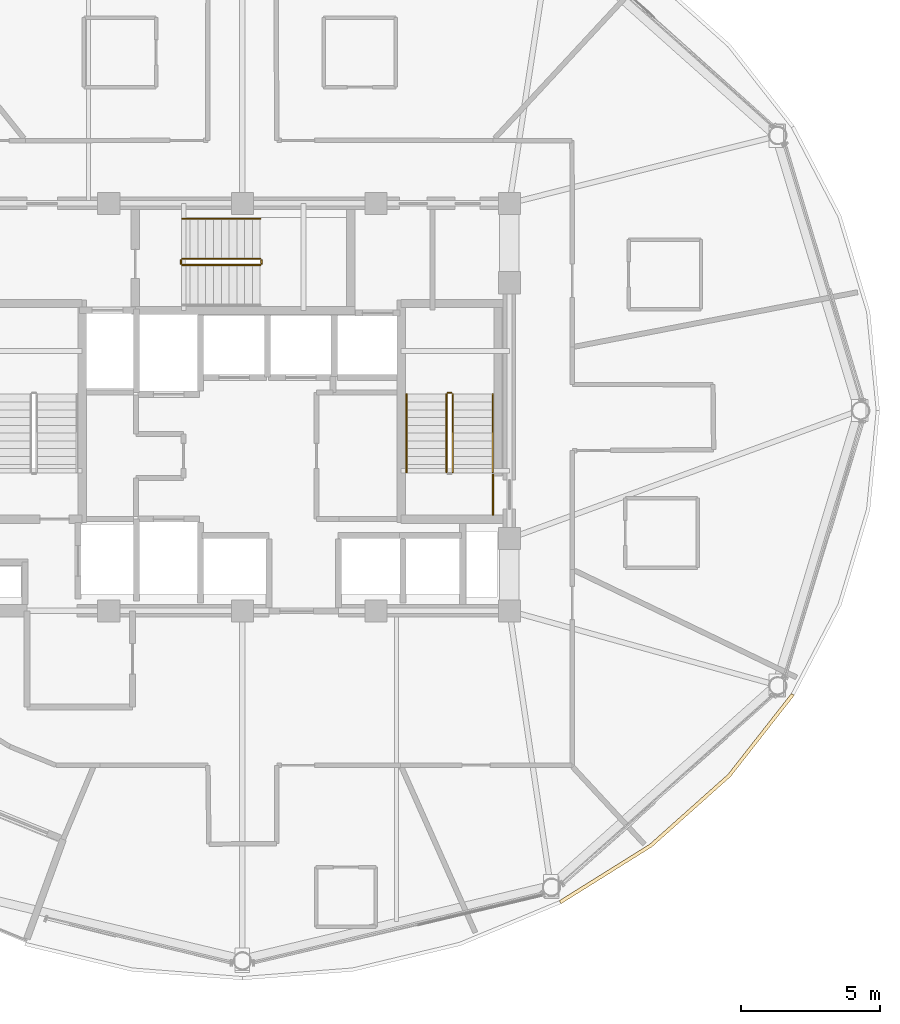
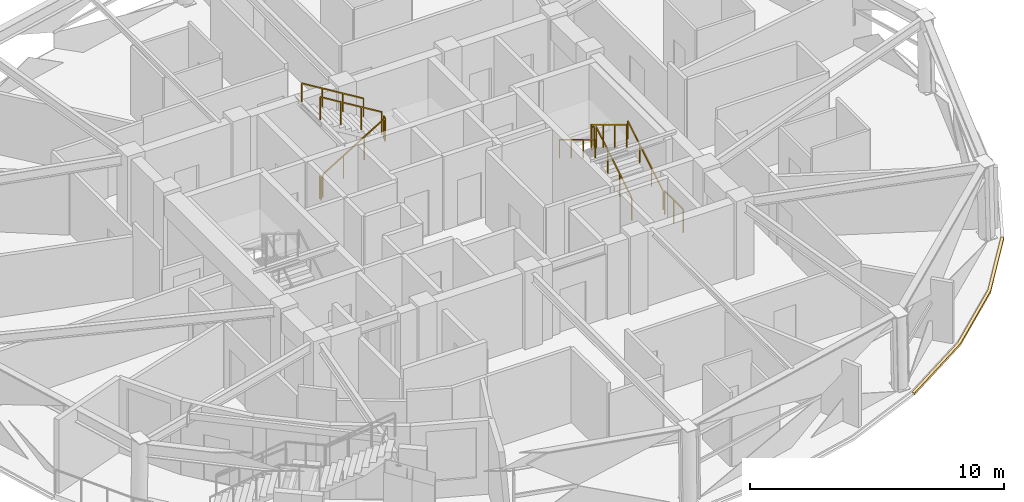
# One storey, part 16 of 17: 11 railings, 1 covering.
"""IFC4 building model written with IfcOpenShell, lengths in metres."""

import ifcopenshell
import ifcopenshell.guid

model = None  # the IFC model being written
_history = None  # IfcOwnerHistory: only IFC2X3 demands one
_inside = {}  # id of a spatial element -> (the spatial element, [elements in it])
_under = {}  # id of a project, library or spatial element -> (it, [spatial elements below it])
_declared = {}  # id of a project -> (the project, [libraries it declares])
_typed = {}  # id of a type object -> (the type object, [elements of that type])
_made_of = {}  # id of a material, layer set ... -> (it, [elements and type objects made of it])


def new_model(schema):
    """Start an empty IFC model of exactly this schema.

    Asked for "IFC4X3", IfcOpenShell would pick the latest addendum, in which some entities
    have other attributes; the version numbers below select the first issue.
    IFC2X3 requires an IfcOwnerHistory on every rooted entity: one is made here for all.
    """
    global model, _history
    if schema == "IFC4X3":
        model = ifcopenshell.file(schema_version=(4, 3, 0, 0))
    else:
        model = ifcopenshell.file(schema=schema)
    _inside.clear()
    _under.clear()
    _declared.clear()
    _typed.clear()
    _made_of.clear()
    _history = None
    if model.schema == "IFC2X3":
        org = make("IfcOrganization", Name="unknown")
        user = make(
            "IfcPersonAndOrganization",
            ThePerson=make("IfcPerson", FamilyName="unknown"),
            TheOrganization=org,
        )
        app = make(
            "IfcApplication",
            ApplicationDeveloper=org,
            Version="unknown",
            ApplicationFullName="unknown",
            ApplicationIdentifier="unknown",
        )
        _history = make(
            "IfcOwnerHistory",
            OwningUser=user,
            OwningApplication=app,
            ChangeAction="ADDED",
            CreationDate=0,
        )
    return model


def make(cls, **values):
    """One entity of the class cls with the attributes given. An attribute that is None is left unset."""
    return model.create_entity(
        cls, **{name: value for name, value in values.items() if value is not None}
    )


def rooted(cls, **values):
    """An entity with a GlobalId (a new one), such as an element, a storey or a relation."""
    return make(cls, GlobalId=ifcopenshell.guid.new(), OwnerHistory=_history, **values)


def si_unit(unit_type, name, prefix=None):
    """IfcSIUnit, for example si_unit("LENGTHUNIT", "METRE", prefix="MILLI")."""
    return make("IfcSIUnit", UnitType=unit_type, Prefix=prefix, Name=name)


def assignment(units):
    """IfcUnitAssignment: the units of a project."""
    return None if units is None else make("IfcUnitAssignment", Units=units)


def point(xyz):
    """IfcCartesianPoint."""
    return None if xyz is None else make("IfcCartesianPoint", Coordinates=xyz)


def direction(xyz):
    """IfcDirection."""
    return None if xyz is None else make("IfcDirection", DirectionRatios=xyz)


def frame(location, z_axis=None, x_axis=None):
    """IfcAxis2Placement3D, a coordinate frame: its origin and axes. An axis left out is left unset."""
    return make(
        "IfcAxis2Placement3D",
        Location=point(location),
        Axis=direction(z_axis),
        RefDirection=direction(x_axis),
    )


def frame_2d(location, x_axis=None):
    """IfcAxis2Placement2D, a coordinate frame in the plane: its origin and x axis."""
    return make(
        "IfcAxis2Placement2D", Location=point(location), RefDirection=direction(x_axis)
    )


def origin():
    """The frame at (0, 0, 0) with its axes left unset."""
    return frame((0.0, 0.0, 0.0))


def origin_2d():
    """The frame at (0, 0) in the plane with its x axis left unset."""
    return frame_2d((0.0, 0.0))


def place(relative_to, where):
    """IfcLocalPlacement: puts the frame where relative to a parent placement (None: the world)."""
    return make(
        "IfcLocalPlacement", PlacementRelTo=relative_to, RelativePlacement=where
    )


def context(
    kind, dimensions, precision=None, world=None, true_north=None, identifier=None
):
    """IfcGeometricRepresentationContext, for example the 3D "Model" context."""
    return make(
        "IfcGeometricRepresentationContext",
        ContextIdentifier=identifier,
        ContextType=kind,
        CoordinateSpaceDimension=dimensions,
        Precision=precision,
        WorldCoordinateSystem=world,
        TrueNorth=true_north,
    )


def subcontext(parent, identifier, kind, view, scale=None):
    """IfcGeometricRepresentationSubContext, for example "Body" below "Model"."""
    return make(
        "IfcGeometricRepresentationSubContext",
        ContextIdentifier=identifier,
        ContextType=kind,
        ParentContext=parent,
        TargetScale=scale,
        TargetView=view,
    )


def project(units=None, contexts=None):
    """IfcProject with its units and contexts."""
    return rooted(
        "IfcProject",
        Name="project",
        RepresentationContexts=contexts,
        UnitsInContext=assignment(units),
    )


def spatial(cls, under=None, at=None, **own):
    """A site, building, storey or space (cls), placed at a placement, below another one or the project."""
    s = rooted(cls, ObjectPlacement=at, **own)
    if under is not None:
        _under.setdefault(under.id(), (under, []))[1].append(s)
    return s


def polyline(points):
    """IfcPolyline through the points."""
    return make("IfcPolyline", Points=[point(p) for p in points])


def profile(cls, at=None, kind="AREA", **sizes):
    """A parametric profile (cls). Its sizes go by their IFC names, for example OverallWidth=200.0."""
    return make(cls, ProfileType=kind, Position=at, **sizes)


def rectangle(**sizes):
    """IfcRectangleProfileDef."""
    return profile("IfcRectangleProfileDef", **sizes)


def outline(outer, holes=None, kind="AREA"):
    """IfcArbitraryClosedProfileDef: a profile drawn as a closed curve; with holes, ...WithVoids."""
    if holes is None:
        return make("IfcArbitraryClosedProfileDef", ProfileType=kind, OuterCurve=outer)
    return make(
        "IfcArbitraryProfileDefWithVoids",
        ProfileType=kind,
        OuterCurve=outer,
        InnerCurves=holes,
    )


def extrude(swept, where, along, depth):
    """IfcExtrudedAreaSolid: the profile swept, set in the frame where, extruded along a direction by depth."""
    return make(
        "IfcExtrudedAreaSolid",
        SweptArea=swept,
        Position=where,
        ExtrudedDirection=direction(along),
        Depth=depth,
    )


def shape(context_of_items, identifier, shape_type, items):
    """IfcShapeRepresentation: the items that make up one representation, for example the "Body"."""
    return make(
        "IfcShapeRepresentation",
        ContextOfItems=context_of_items,
        RepresentationIdentifier=identifier,
        RepresentationType=shape_type,
        Items=items,
    )


def material(Name=None, Category=None):
    """IfcMaterial."""
    return make("IfcMaterial", Name=Name, Category=Category)


def layer(
    of_material, thickness, ventilated=None, Name=None, Category=None, Priority=None
):
    """IfcMaterialLayer: one layer of a wall or slab, of a material (None: an air gap)."""
    return make(
        "IfcMaterialLayer",
        Material=of_material,
        LayerThickness=thickness,
        IsVentilated=ventilated,
        Name=Name,
        Category=Category,
        Priority=Priority,
    )


def layer_set(layers, Name=None):
    """IfcMaterialLayerSet."""
    return make("IfcMaterialLayerSet", MaterialLayers=layers, LayerSetName=Name)


def made_of(thing, what):
    """Note that an element or type object is made of a material, layer set ...; save() writes the relation."""
    if what is not None:
        _made_of.setdefault(what.id(), (what, []))[1].append(thing)
    return thing


def type_object(cls, material=None, **own):
    """A type object (cls), such as IfcWallType, which elements share."""
    return made_of(rooted(cls, **own), material)


def element(
    cls,
    number,
    at=None,
    inside=None,
    cuts=None,
    type_object=None,
    material=None,
    context=None,
    identifier="Body",
    shape_type=None,
    held_by="IfcProductDefinitionShape",
    body=None,
    shapes=None,
    **own,
):
    """One element of the class cls, such as IfcWall. Its Tag is "e" and its number.

    at: its placement. inside: the storey or other place that contains it. cuts: it is an
    opening in that element (IfcRelVoidsElement). A single representation is given by context,
    identifier, shape_type and body (its items); several are given by shapes. held_by: the class
    of the entity that holds the representations. save() writes the other relations.
    """
    e = rooted(cls, Tag="e%d" % number, ObjectPlacement=at, **own)
    if body is not None:
        shapes = [shape(context, identifier, shape_type, body)]
    if shapes is not None:
        e.Representation = make(held_by, Representations=shapes)
    if inside is not None:
        _inside.setdefault(inside.id(), (inside, []))[1].append(e)
    if cuts is not None:
        rooted(
            "IfcRelVoidsElement", RelatingBuildingElement=cuts, RelatedOpeningElement=e
        )
    if type_object is not None:
        _typed.setdefault(type_object.id(), (type_object, []))[1].append(e)
    return made_of(e, material)


def aggregate(whole, parts):
    """IfcRelAggregates: a whole, such as a stair, and the parts it consists of."""
    return rooted("IfcRelAggregates", RelatingObject=whole, RelatedObjects=parts)


def save(model, path):
    """Write the relations noted so far, then the file.

    IfcRelAggregates (storeys below a building ...), IfcRelContainedInSpatialStructure (elements
    in a storey), IfcRelDefinesByType, IfcRelAssociatesMaterial and IfcRelDeclares: one each for
    every whole, place, type object, material and project.
    """
    for whole, parts in _under.values():
        aggregate(whole, parts)
    for where, things in _inside.values():
        rooted(
            "IfcRelContainedInSpatialStructure",
            RelatedElements=things,
            RelatingStructure=where,
        )
    for kind, things in _typed.values():
        rooted("IfcRelDefinesByType", RelatedObjects=things, RelatingType=kind)
    for what, things in _made_of.values():
        rooted("IfcRelAssociatesMaterial", RelatedObjects=things, RelatingMaterial=what)
    for by, libraries in _declared.values():
        rooted("IfcRelDeclares", RelatingContext=by, RelatedDefinitions=libraries)
    model.write(path)


model = new_model("IFC4")

# Units and contexts
model_context = context("Model", 3, precision=1e-05, world=origin(), true_north=direction((0.0, 1.0)))
body_context = subcontext(model_context, "Body", "Model", "MODEL_VIEW")
ifc_project = project(units=[si_unit("LENGTHUNIT", "METRE"), si_unit("AREAUNIT", "SQUARE_METRE"), si_unit("VOLUMEUNIT", "CUBIC_METRE"), si_unit("PLANEANGLEUNIT", "RADIAN"), si_unit("MASSUNIT", "GRAM", prefix="KILO")], contexts=[model_context])

# Site, building, storey
site_placement = place(None, origin())
site = spatial("IfcSite", under=ifc_project, at=site_placement, CompositionType="ELEMENT")
building_placement = place(site_placement, origin())
building = spatial("IfcBuilding", under=site, at=building_placement, Name="Vantalir Tower", CompositionType="ELEMENT")
storey_placement = place(building_placement, frame((0.0, 0.0, 208.64990234375)))
storey = spatial("IfcBuildingStorey", under=building, at=storey_placement, Name="L52", CompositionType="ELEMENT", Elevation=208.64990234375)

# Covering
ifc_material_1 = material(Name="Anodised champagne aluminium sill fascia", Category="aluminium")
ifc_layer = layer(ifc_material_1, 0.125)
ifc_layer_set = layer_set([ifc_layer], Name="Anodised champagne aluminium sill fascia")
covering_type = type_object("IfcCoveringType", Name="COV-SLAB-FASCIA-125", PredefinedType="CLADDING", material=ifc_layer_set)
covering_placement = place(storey_placement, frame((0.0, 0.0, -0.179931640625)))
element("IfcCovering", 1, at=covering_placement, inside=storey, type_object=covering_type, Name="L52 Perimeter Slab-Edge Sill Fascia 11", PredefinedType="CLADDING", context=body_context, shape_type="SweptSolid", body=[
    extrude(outline(polyline([(42.955078125, 7.27392578125), (46.22607421875, 9.321044921875), (49.049072265625, 11.843017578125), (51.340087890625, 14.76611328125), (51.23193359375, 14.827880859375), (48.9541015625, 11.924072265625), (46.14501953125, 9.416015625), (42.89208984375, 7.382080078125), (42.955078125, 7.27392578125)])), origin(), (0.0, 0.0, 1.0), 0.10498046875),
])

# Railings
ifc_material_2 = material(Name="Anodised aluminium and stainless steel guard", Category="steel")
railing_type_1 = type_object("IfcRailingType", Name="RAL-GUARD-1120", PredefinedType="GUARDRAIL", material=ifc_material_2)
railing_1_placement = place(storey_placement, frame((39.06005859375, 22.7900390625, 0.170654296875)))
element("IfcRailing", 2, at=railing_1_placement, inside=storey, type_object=railing_type_1, Name="L52 ST2 stair guard 1", PredefinedType="GUARDRAIL", context=body_context, shape_type="SweptSolid", body=[
    extrude(rectangle(XDim=0.048095703125, YDim=0.048095703125, at=origin_2d()), frame((0.0, 0.0, 1.09619140625), z_axis=(0.0, 0.854202870247, 0.519939858505), x_axis=(-1.0, 0.0, 0.0)), (0.0, 0.0, 1.0), 3.278076171875),
    extrude(rectangle(XDim=0.0419921875, YDim=0.0419921875, at=origin_2d()), origin(), (0.0, 0.0, 1.0), 1.072021484375),
    extrude(rectangle(XDim=0.0419921875, YDim=0.0419921875, at=origin_2d()), frame((0.0, 0.933349609375, 0.568115234375)), (0.0, 0.0, 1.0), 1.072021484375),
    extrude(rectangle(XDim=0.0419921875, YDim=0.0419921875, at=origin_2d()), frame((0.0, 1.86669921875, 1.13623046875)), (0.0, 0.0, 1.0), 1.072021484375),
    extrude(rectangle(XDim=0.0419921875, YDim=0.0419921875, at=origin_2d()), frame((0.0, 2.800048828125, 1.704345703125)), (0.0, 0.0, 1.0), 1.072021484375),
])
railing_2_placement = place(storey_placement, frame((39.010009765625, 25.639892578125, 1.875)))
element("IfcRailing", 3, at=railing_2_placement, inside=storey, type_object=railing_type_1, Name="L52 ST2 stair guard 2", PredefinedType="GUARDRAIL", context=body_context, shape_type="SweptSolid", body=[
    extrude(rectangle(XDim=0.048095703125, YDim=0.048095703125, at=origin_2d()), frame((0.0, 0.0, 1.09619140625), z_axis=(-1.0, 0.0, 0.0), x_axis=(0.0, -1.0, 0.0)), (0.0, 0.0, 1.0), 0.1201171875),
    extrude(rectangle(XDim=0.0419921875, YDim=0.0419921875, at=origin_2d()), origin(), (0.0, 0.0, 1.0), 1.072021484375),
    extrude(rectangle(XDim=0.0419921875, YDim=0.0419921875, at=origin_2d()), frame((-0.1201171875, 0.0, 0.0)), (0.0, 0.0, 1.0), 1.072021484375),
])
railing_3_placement = place(storey_placement, frame((38.840087890625, 25.590087890625, 2.045654296875)))
element("IfcRailing", 4, at=railing_3_placement, inside=storey, type_object=railing_type_1, Name="L52 ST2 stair guard 3", PredefinedType="GUARDRAIL", context=body_context, shape_type="SweptSolid", body=[
    extrude(rectangle(XDim=0.048095703125, YDim=0.048095703125, at=origin_2d()), frame((0.0, 0.0, 1.09619140625), z_axis=(0.0, -0.854202870247, 0.519939858505), x_axis=(1.0, 0.0, 0.0)), (0.0, 0.0, 1.0), 3.278076171875),
    extrude(rectangle(XDim=0.0419921875, YDim=0.0419921875, at=origin_2d()), origin(), (0.0, 0.0, 1.0), 1.072021484375),
    extrude(rectangle(XDim=0.0419921875, YDim=0.0419921875, at=origin_2d()), frame((0.0, -0.933349609375, 0.568115234375)), (0.0, 0.0, 1.0), 1.072021484375),
    extrude(rectangle(XDim=0.0419921875, YDim=0.0419921875, at=origin_2d()), frame((0.0, -1.86669921875, 1.13623046875)), (0.0, 0.0, 1.0), 1.072021484375),
    extrude(rectangle(XDim=0.0419921875, YDim=0.0419921875, at=origin_2d()), frame((0.0, -2.800048828125, 1.704345703125)), (0.0, 0.0, 1.0), 1.072021484375),
])
railing_4_placement = place(storey_placement, frame((29.340087890625, 30.239990234375, 0.170654296875)))
element("IfcRailing", 5, at=railing_4_placement, inside=storey, type_object=railing_type_1, Name="L52 ST3 stair guard 1", PredefinedType="GUARDRAIL", context=body_context, shape_type="SweptSolid", body=[
    extrude(rectangle(XDim=0.048095703125, YDim=0.048095703125, at=origin_2d()), frame((0.0, 0.0, 1.09619140625), z_axis=(0.854182733786, 0.0, 0.519972939009), x_axis=(0.0, 1.0, 0.0)), (0.0, 0.0, 1.0), 3.27783203125),
    extrude(rectangle(XDim=0.0419921875, YDim=0.0419921875, at=origin_2d()), origin(), (0.0, 0.0, 1.0), 1.072021484375),
    extrude(rectangle(XDim=0.0419921875, YDim=0.0419921875, at=origin_2d()), frame((0.933349609375, 0.0, 0.568115234375)), (0.0, 0.0, 1.0), 1.072021484375),
    extrude(rectangle(XDim=0.0419921875, YDim=0.0419921875, at=origin_2d()), frame((1.866455078125, 0.0, 1.13623046875)), (0.0, 0.0, 1.0), 1.072021484375),
    extrude(rectangle(XDim=0.0419921875, YDim=0.0419921875, at=origin_2d()), frame((2.7998046875, 0.0, 1.704345703125)), (0.0, 0.0, 1.0), 1.072021484375),
])
railing_5_placement = place(storey_placement, frame((32.18994140625, 30.2900390625, 1.875)))
element("IfcRailing", 6, at=railing_5_placement, inside=storey, type_object=railing_type_1, Name="L52 ST3 stair guard 2", PredefinedType="GUARDRAIL", context=body_context, shape_type="SweptSolid", body=[
    extrude(rectangle(XDim=0.048095703125, YDim=0.048095703125, at=origin_2d()), frame((0.0, 0.0, 1.09619140625), z_axis=(0.0, 1.0, 0.0), x_axis=(-1.0, 0.0, 0.0)), (0.0, 0.0, 1.0), 0.119873046875),
    extrude(rectangle(XDim=0.0419921875, YDim=0.0419921875, at=origin_2d()), origin(), (0.0, 0.0, 1.0), 1.072021484375),
    extrude(rectangle(XDim=0.0419921875, YDim=0.0419921875, at=origin_2d()), frame((0.0, 0.119873046875, 0.0)), (0.0, 0.0, 1.0), 1.072021484375),
])
railing_6_placement = place(storey_placement, frame((32.139892578125, 30.4599609375, 2.045654296875)))
element("IfcRailing", 7, at=railing_6_placement, inside=storey, type_object=railing_type_1, Name="L52 ST3 stair guard 3", PredefinedType="GUARDRAIL", context=body_context, shape_type="SweptSolid", body=[
    extrude(rectangle(XDim=0.048095703125, YDim=0.048095703125, at=origin_2d()), frame((0.0, 0.0, 1.09619140625), z_axis=(-0.854182733786, 0.0, 0.519972939009), x_axis=(0.0, -1.0, 0.0)), (0.0, 0.0, 1.0), 3.27783203125),
    extrude(rectangle(XDim=0.0419921875, YDim=0.0419921875, at=origin_2d()), origin(), (0.0, 0.0, 1.0), 1.072021484375),
    extrude(rectangle(XDim=0.0419921875, YDim=0.0419921875, at=origin_2d()), frame((-0.933349609375, 0.0, 0.568115234375)), (0.0, 0.0, 1.0), 1.072021484375),
    extrude(rectangle(XDim=0.0419921875, YDim=0.0419921875, at=origin_2d()), frame((-1.866455078125, 0.0, 1.13623046875)), (0.0, 0.0, 1.0), 1.072021484375),
    extrude(rectangle(XDim=0.0419921875, YDim=0.0419921875, at=origin_2d()), frame((-2.7998046875, 0.0, 1.704345703125)), (0.0, 0.0, 1.0), 1.072021484375),
])
railing_7_placement = place(storey_placement, frame((29.2900390625, 30.2900390625, 0.0)))
element("IfcRailing", 8, at=railing_7_placement, inside=storey, type_object=railing_type_1, Name="L52 ST3 stair guard 4", PredefinedType="GUARDRAIL", context=body_context, shape_type="SweptSolid", body=[
    extrude(rectangle(XDim=0.048095703125, YDim=0.048095703125, at=origin_2d()), frame((0.0, 0.0, 1.09619140625), z_axis=(0.0, 1.0, 0.0), x_axis=(-1.0, 0.0, 0.0)), (0.0, 0.0, 1.0), 0.119873046875),
    extrude(rectangle(XDim=0.0419921875, YDim=0.0419921875, at=origin_2d()), origin(), (0.0, 0.0, 1.0), 1.072021484375),
    extrude(rectangle(XDim=0.0419921875, YDim=0.0419921875, at=origin_2d()), frame((0.0, 0.119873046875, 0.0)), (0.0, 0.0, 1.0), 1.072021484375),
])
railing_8_placement = place(storey_placement, frame((40.510009765625, 21.260009765625, 0.0)))
element("IfcRailing", 9, at=railing_8_placement, inside=storey, type_object=railing_type_1, Name="L52 Stair ST2 Doorway Landing Guard", PredefinedType="GUARDRAIL", context=body_context, shape_type="SweptSolid", body=[
    extrude(rectangle(XDim=0.048095703125, YDim=0.048095703125, at=origin_2d()), frame((0.0, 0.0, 1.1259765625), z_axis=(0.0, 1.0, 0.0), x_axis=(-1.0, 0.0, 0.0)), (0.0, 0.0, 1.0), 1.43994140625),
    extrude(rectangle(XDim=0.0419921875, YDim=0.0419921875, at=origin_2d()), origin(), (0.0, 0.0, 1.0), 1.101806640625),
    extrude(rectangle(XDim=0.0419921875, YDim=0.0419921875, at=origin_2d()), frame((0.0, 0.719970703125, 0.0)), (0.0, 0.0, 1.0), 1.101806640625),
    extrude(rectangle(XDim=0.0419921875, YDim=0.0419921875, at=origin_2d()), frame((0.0, 1.43994140625, 0.0)), (0.0, 0.0, 1.0), 1.101806640625),
])
ifc_material_3 = material(Name="Brushed stainless steel tubular handrail", Category="steel")
railing_type_2 = type_object("IfcRailingType", Name="RAL-HANDRAIL-900", PredefinedType="HANDRAIL", material=ifc_material_3)
railing_9_placement = place(storey_placement, frame((40.5, 22.7900390625, 0.170654296875)))
element("IfcRailing", 10, at=railing_9_placement, inside=storey, type_object=railing_type_2, Name="L52 ST2 stair handrail 1", PredefinedType="HANDRAIL", context=body_context, shape_type="SweptSolid", body=[
    extrude(rectangle(XDim=0.048095703125, YDim=0.048095703125, at=origin_2d()), frame((0.0, 0.0, 0.8759765625), z_axis=(0.0, 0.854202870247, 0.519939858505), x_axis=(-1.0, 0.0, 0.0)), (0.0, 0.0, 1.0), 3.278076171875),
    extrude(rectangle(XDim=0.0419921875, YDim=0.0419921875, at=origin_2d()), origin(), (0.0, 0.0, 1.0), 0.851806640625),
    extrude(rectangle(XDim=0.0419921875, YDim=0.0419921875, at=origin_2d()), frame((0.0, 0.933349609375, 0.568115234375)), (0.0, 0.0, 1.0), 0.851806640625),
    extrude(rectangle(XDim=0.0419921875, YDim=0.0419921875, at=origin_2d()), frame((0.0, 1.86669921875, 1.13623046875)), (0.0, 0.0, 1.0), 0.851806640625),
    extrude(rectangle(XDim=0.0419921875, YDim=0.0419921875, at=origin_2d()), frame((0.0, 2.800048828125, 1.704345703125)), (0.0, 0.0, 1.0), 0.851806640625),
])
railing_10_placement = place(storey_placement, frame((37.39990234375, 25.590087890625, 2.045654296875)))
element("IfcRailing", 11, at=railing_10_placement, inside=storey, type_object=railing_type_2, Name="L52 ST2 stair handrail 2", PredefinedType="HANDRAIL", context=body_context, shape_type="SweptSolid", body=[
    extrude(rectangle(XDim=0.048095703125, YDim=0.048095703125, at=origin_2d()), frame((0.0, 0.0, 0.8759765625), z_axis=(0.0, -0.854202870247, 0.519939858505), x_axis=(1.0, 0.0, 0.0)), (0.0, 0.0, 1.0), 3.278076171875),
    extrude(rectangle(XDim=0.0419921875, YDim=0.0419921875, at=origin_2d()), origin(), (0.0, 0.0, 1.0), 0.851806640625),
    extrude(rectangle(XDim=0.0419921875, YDim=0.0419921875, at=origin_2d()), frame((0.0, -0.933349609375, 0.568115234375)), (0.0, 0.0, 1.0), 0.851806640625),
    extrude(rectangle(XDim=0.0419921875, YDim=0.0419921875, at=origin_2d()), frame((0.0, -1.86669921875, 1.13623046875)), (0.0, 0.0, 1.0), 0.851806640625),
    extrude(rectangle(XDim=0.0419921875, YDim=0.0419921875, at=origin_2d()), frame((0.0, -2.800048828125, 1.704345703125)), (0.0, 0.0, 1.0), 0.851806640625),
])
railing_11_placement = place(storey_placement, frame((32.139892578125, 31.89990234375, 2.045654296875)))
element("IfcRailing", 12, at=railing_11_placement, inside=storey, type_object=railing_type_2, Name="L52 ST3 stair handrail 2", PredefinedType="HANDRAIL", context=body_context, shape_type="SweptSolid", body=[
    extrude(rectangle(XDim=0.048095703125, YDim=0.048095703125, at=origin_2d()), frame((0.0, 0.0, 0.8759765625), z_axis=(-0.854182733786, 0.0, 0.519972939009), x_axis=(0.0, -1.0, 0.0)), (0.0, 0.0, 1.0), 3.27783203125),
    extrude(rectangle(XDim=0.0419921875, YDim=0.0419921875, at=origin_2d()), origin(), (0.0, 0.0, 1.0), 0.851806640625),
    extrude(rectangle(XDim=0.0419921875, YDim=0.0419921875, at=origin_2d()), frame((-0.933349609375, 0.0, 0.568115234375)), (0.0, 0.0, 1.0), 0.851806640625),
    extrude(rectangle(XDim=0.0419921875, YDim=0.0419921875, at=origin_2d()), frame((-1.866455078125, 0.0, 1.13623046875)), (0.0, 0.0, 1.0), 0.851806640625),
    extrude(rectangle(XDim=0.0419921875, YDim=0.0419921875, at=origin_2d()), frame((-2.7998046875, 0.0, 1.704345703125)), (0.0, 0.0, 1.0), 0.851806640625),
])

save(model, "model.ifc")
